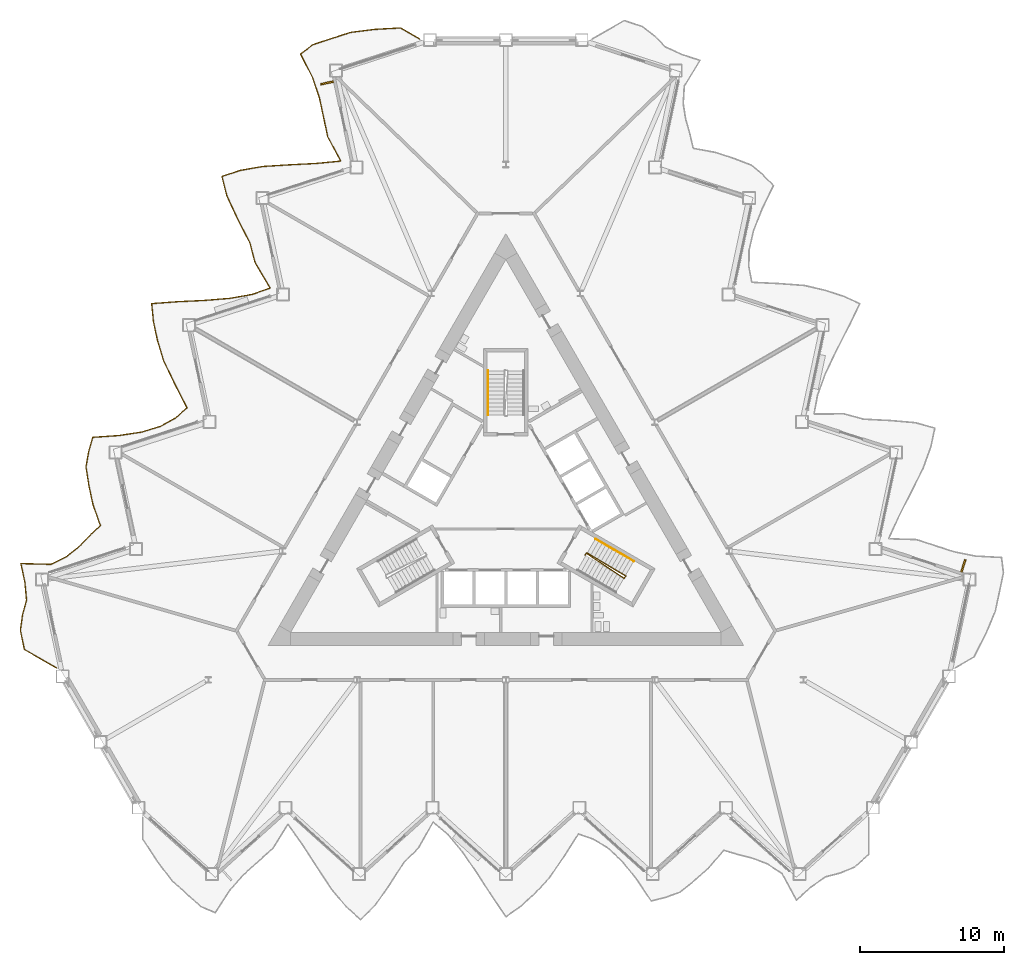
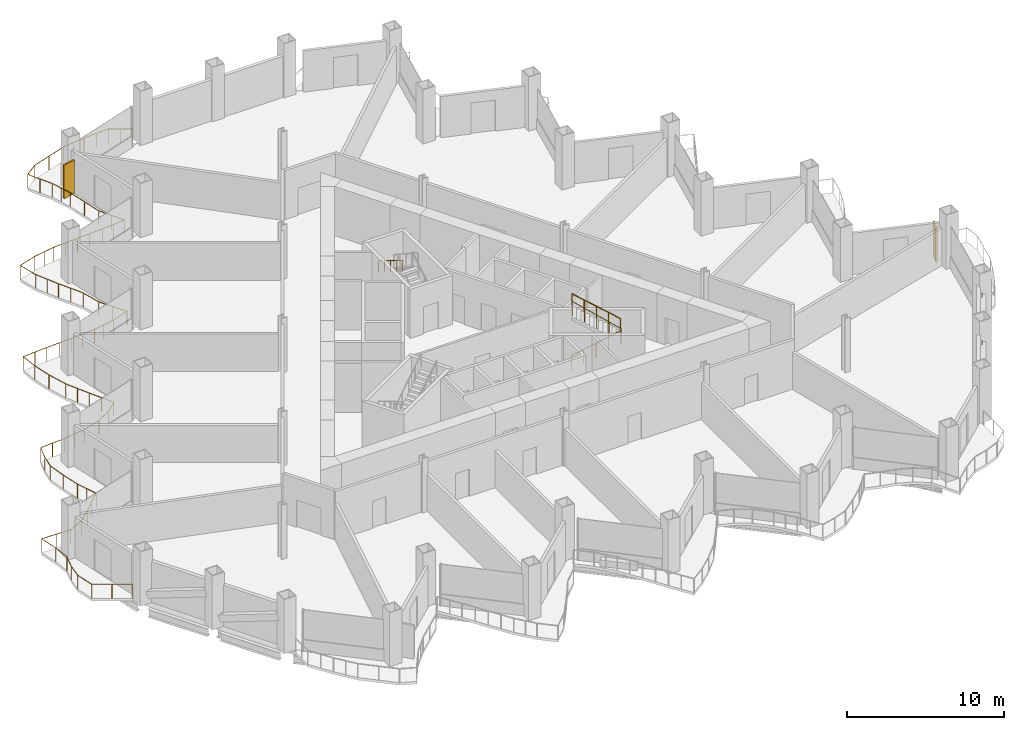
# One storey, part 18 of 21: 4 railings, 2 shading devices.
"""IFC4 building model written with IfcOpenShell, lengths in metres."""

from ifc_helpers import new_model, si_unit, direction, frame, origin, origin_2d, place, context, subcontext, project, spatial, rectangle, circle, extrude, material, layer, layer_set, type_object, element, save


model = new_model("IFC4")

# Units and contexts
model_context = context("Model", 3, precision=1e-05, world=origin(), true_north=direction((0.0, 1.0)))
body_context = subcontext(model_context, "Body", "Model", "MODEL_VIEW")
ifc_project = project(units=[si_unit("LENGTHUNIT", "METRE"), si_unit("AREAUNIT", "SQUARE_METRE"), si_unit("VOLUMEUNIT", "CUBIC_METRE"), si_unit("PLANEANGLEUNIT", "RADIAN"), si_unit("MASSUNIT", "GRAM", prefix="KILO")], contexts=[model_context])

# Site, building, storey
site_placement = place(None, origin())
site = spatial("IfcSite", under=ifc_project, at=site_placement, CompositionType="ELEMENT")
building_placement = place(site_placement, origin())
building = spatial("IfcBuilding", under=site, at=building_placement, Name="Cormorant Prow Tower", CompositionType="ELEMENT")
storey_placement = place(building_placement, frame((0.0, 0.0, 133.199951171875)))
storey = spatial("IfcBuildingStorey", under=building, at=storey_placement, Name="L28", CompositionType="ELEMENT", Elevation=133.199951171875)

# Railings
ifc_material_1 = material(Name="Aluminium 6063-T6", Category="aluminium")
railing_type_1 = type_object("IfcRailingType", Name="Balcony guard 1100", PredefinedType="GUARDRAIL", material=ifc_material_1)
railing_1_placement = place(storey_placement, frame((-5.990234375, 32.576416015625, 0.0)))
element("IfcRailing", 1, at=railing_1_placement, inside=storey, type_object=railing_type_1, Name="Balcony guard WNW", PredefinedType="GUARDRAIL", context=body_context, shape_type="SweptSolid", body=[
    extrude(circle(Radius=0.02392578125, at=origin_2d()), frame((0.0, 0.0, 1.076171875), z_axis=(-0.866030456496, 0.499991248344, 0.0), x_axis=(-0.499991248344, -0.866030456496, 0.0)), (0.0, 0.0, 1.0), 1.52001953125),
    extrude(circle(Radius=0.02392578125, at=origin_2d()), frame((-1.31640625, 0.760009765625, 1.076171875), z_axis=(-0.998474175615, -0.055220654009, 0.0), x_axis=(0.055220654009, -0.998474175615, 0.0)), (0.0, 0.0, 1.0), 1.84375),
    extrude(circle(Radius=0.02392578125, at=origin_2d()), frame((-3.1572265625, 0.658203125, 1.076171875), z_axis=(-0.991854590145, -0.127375319462, 0.0), x_axis=(0.127375319462, -0.991854590145, 0.0)), (0.0, 0.0, 1.0), 1.663818359375),
    extrude(circle(Radius=0.02392578125, at=origin_2d()), frame((-4.807373046875, 0.4462890625, 1.076171875), z_axis=(-0.95106578465, -0.308988467857, 0.0), x_axis=(0.308988467857, -0.95106578465, 0.0)), (0.0, 0.0, 1.0), 1.357421875),
    extrude(circle(Radius=0.02392578125, at=origin_2d()), frame((-6.098388671875, 0.02685546875, 1.076171875), z_axis=(-0.951048608924, -0.309041329701, 0.0), x_axis=(0.309041329701, -0.951048608924, 0.0)), (0.0, 0.0, 1.0), 1.357177734375),
    extrude(circle(Radius=0.02392578125, at=origin_2d()), frame((-7.38916015625, -0.392578125, 1.076171875), z_axis=(-0.800293589886, -0.599608347162, 0.0), x_axis=(0.599608347162, -0.800293589886, 0.0)), (0.0, 0.0, 1.0), 1.097412109375),
    extrude(circle(Radius=0.02392578125, at=origin_2d()), frame((-8.267333984375, -1.050537109375, 1.076171875), z_axis=(0.453743986862, -0.891132085825, 0.0), x_axis=(0.891132085825, 0.453743986862, 0.0)), (0.0, 0.0, 1.0), 1.850830078125),
    extrude(circle(Radius=0.02392578125, at=origin_2d()), frame((-7.427490234375, -2.699951171875, 1.076171875), z_axis=(0.316324106754, -0.948651179036, 0.0), x_axis=(0.948651179036, 0.316324106754, 0.0)), (0.0, 0.0, 1.0), 1.5205078125),
    extrude(circle(Radius=0.02392578125, at=origin_2d()), frame((-6.946533203125, -4.142333984375, 1.076171875), z_axis=(0.20793189794, -0.978143305359, 0.0), x_axis=(0.978143305359, 0.20793189794, 0.0)), (0.0, 0.0, 1.0), 1.357421875),
    extrude(circle(Radius=0.02392578125, at=origin_2d()), frame((-6.664306640625, -5.469970703125, 1.076171875), z_axis=(0.20793189794, -0.978143305359, 0.0), x_axis=(0.978143305359, 0.20793189794, 0.0)), (0.0, 0.0, 1.0), 1.357421875),
    extrude(circle(Radius=0.02392578125, at=origin_2d()), frame((-6.382080078125, -6.797607421875, 1.076171875), z_axis=(0.472585856924, -0.881284634971, 0.0), x_axis=(0.881284634971, 0.472585856924, 0.0)), (0.0, 0.0, 1.0), 1.91455078125),
    extrude(circle(Radius=0.02392578125, at=origin_2d()), frame((-5.477294921875, -8.48486328125, 1.076171875), z_axis=(-0.995503667949, -0.094723001955, 0.0), x_axis=(0.094723001955, -0.995503667949, 0.0)), (0.0, 0.0, 1.0), 1.73974609375),
    extrude(circle(Radius=0.02392578125, at=origin_2d()), frame((-7.209228515625, -8.649658203125, 1.076171875), z_axis=(-0.998717669659, -0.050626241319, 0.0), x_axis=(0.050626241319, -0.998717669659, 0.0)), (0.0, 0.0, 1.0), 1.856689453125),
    extrude(circle(Radius=0.02392578125, at=origin_2d()), frame((-9.0634765625, -8.74365234375, 1.076171875), z_axis=(-0.998053099231, -0.062369953633, 0.0), x_axis=(0.062369953633, -0.998053099231, 0.0)), (0.0, 0.0, 1.0), 1.82421875),
    extrude(circle(Radius=0.02392578125, at=origin_2d()), frame((-10.884033203125, -8.857421875, 1.076171875), z_axis=(-0.985083819846, -0.172075180891, 0.0), x_axis=(0.172075180891, -0.985083819846, 0.0)), (0.0, 0.0, 1.0), 1.572021484375),
    extrude(circle(Radius=0.02392578125, at=origin_2d()), frame((-12.4326171875, -9.1279296875, 1.076171875), z_axis=(-0.950995727537, -0.309204020359, 0.0), x_axis=(0.309204020359, -0.950995727537, 0.0)), (0.0, 0.0, 1.0), 1.357177734375),
    extrude(circle(Radius=0.02392578125, at=origin_2d()), frame((-13.723388671875, -9.547607421875, 1.076171875), z_axis=(0.245636474216, -0.969362018306, 0.0), x_axis=(0.969362018306, 0.245636474216, 0.0)), (0.0, 0.0, 1.0), 1.407470703125),
    extrude(circle(Radius=0.02392578125, at=origin_2d()), frame((-13.377685546875, -10.911865234375, 1.076171875), z_axis=(0.422497782382, -0.906363957736, 0.0), x_axis=(0.906363957736, 0.422497782382, 0.0)), (0.0, 0.0, 1.0), 1.75830078125),
    extrude(circle(Radius=0.02392578125, at=origin_2d()), frame((-12.634765625, -12.505615234375, 1.076171875), z_axis=(0.456740140869, -0.889600159464, 0.0), x_axis=(0.889600159464, 0.456740140869, 0.0)), (0.0, 0.0, 1.0), 1.860595703125),
    extrude(circle(Radius=0.02392578125, at=origin_2d()), frame((-11.784912109375, -14.160888671875, 1.076171875), z_axis=(0.253332549475, -0.967379253125, 0.0), x_axis=(0.967379253125, 0.253332549475, 0.0)), (0.0, 0.0, 1.0), 1.418701171875),
    extrude(circle(Radius=0.02392578125, at=origin_2d()), frame((-11.425537109375, -15.533203125, 1.076171875), z_axis=(0.50874934015, -0.860914693159, 0.0), x_axis=(0.860914693159, 0.50874934015, 0.0)), (0.0, 0.0, 1.0), 2.053466796875),
    extrude(circle(Radius=0.02392578125, at=origin_2d()), frame((-10.380859375, -17.301025390625, 1.076171875), z_axis=(-0.942963166719, -0.332897080508, 0.0), x_axis=(0.332897080508, -0.942963166719, 0.0)), (0.0, 0.0, 1.0), 1.327392578125),
    extrude(circle(Radius=0.02392578125, at=origin_2d()), frame((-11.632568359375, -17.742919921875, 1.076171875), z_axis=(-0.984852365608, -0.173394976733, 0.0), x_axis=(0.173394976733, -0.984852365608, 0.0)), (0.0, 0.0, 1.0), 1.56982421875),
    extrude(circle(Radius=0.02392578125, at=origin_2d()), frame((-13.1787109375, -18.01513671875, 1.076171875), z_axis=(-0.996759511029, -0.080439276307, 0.0), x_axis=(0.080439276307, -0.996759511029, 0.0)), (0.0, 0.0, 1.0), 1.775634765625),
    extrude(circle(Radius=0.02392578125, at=origin_2d()), frame((-14.948486328125, -18.157958984375, 1.076171875), z_axis=(-0.998817168661, -0.048623693685, 0.0), x_axis=(0.048623693685, -0.998817168661, 0.0)), (0.0, 0.0, 1.0), 1.86279296875),
    extrude(circle(Radius=0.02392578125, at=origin_2d()), frame((-16.80908203125, -18.24853515625, 1.076171875), z_axis=(-0.997407442267, -0.071961059679, 0.0), x_axis=(0.071961059679, -0.997407442267, 0.0)), (0.0, 0.0, 1.0), 1.798095703125),
    extrude(circle(Radius=0.02392578125, at=origin_2d()), frame((-18.6025390625, -18.3779296875, 1.076171875), z_axis=(0.095227770091, -0.995455509706, 0.0), x_axis=(0.995455509706, 0.095227770091, 0.0)), (0.0, 0.0, 1.0), 1.23828125),
    extrude(circle(Radius=0.02392578125, at=origin_2d()), frame((-18.484619140625, -19.610595703125, 1.076171875), z_axis=(0.20793189794, -0.978143305359, 0.0), x_axis=(0.978143305359, 0.20793189794, 0.0)), (0.0, 0.0, 1.0), 1.357421875),
    extrude(circle(Radius=0.02392578125, at=origin_2d()), frame((-18.202392578125, -20.938232421875, 1.076171875), z_axis=(0.289883332511, -0.957061990433, 0.0), x_axis=(0.957061990433, 0.289883332511, 0.0)), (0.0, 0.0, 1.0), 1.474609375),
    extrude(circle(Radius=0.02392578125, at=origin_2d()), frame((-17.77490234375, -22.349609375, 1.076171875), z_axis=(0.434139257323, -0.900845772178, 0.0), x_axis=(0.900845772178, 0.434139257323, 0.0)), (0.0, 0.0, 1.0), 1.791748046875),
    extrude(circle(Radius=0.02392578125, at=origin_2d()), frame((-16.9970703125, -23.963623046875, 1.076171875), z_axis=(0.457457560899, -0.889231454671, 0.0), x_axis=(0.889231454671, 0.457457560899, 0.0)), (0.0, 0.0, 1.0), 1.863037109375),
    extrude(circle(Radius=0.02392578125, at=origin_2d()), frame((-16.144775390625, -25.620361328125, 1.076171875), z_axis=(-0.754290023722, -0.656541362074, 0.0), x_axis=(0.656541362074, -0.754290023722, 0.0)), (0.0, 0.0, 1.0), 1.06640625),
    extrude(circle(Radius=0.02392578125, at=origin_2d()), frame((-16.94921875, -26.320556640625, 1.076171875), z_axis=(-0.872147372574, -0.489243252904, 0.0), x_axis=(0.489243252904, -0.872147372574, 0.0)), (0.0, 0.0, 1.0), 1.173095703125),
    extrude(circle(Radius=0.02392578125, at=origin_2d()), frame((-17.972412109375, -26.89453125, 1.076171875), z_axis=(-0.955767508134, -0.294123223149, 0.0), x_axis=(0.294123223149, -0.955767508134, 0.0)), (0.0, 0.0, 1.0), 1.376953125),
    extrude(circle(Radius=0.02392578125, at=origin_2d()), frame((-19.28857421875, -27.299560546875, 1.076171875), z_axis=(-0.988983844965, -0.148023492723, 0.0), x_axis=(0.148023492723, -0.988983844965, 0.0)), (0.0, 0.0, 1.0), 1.61962890625),
    extrude(circle(Radius=0.02392578125, at=origin_2d()), frame((-20.890380859375, -27.539306640625, 1.076171875), z_axis=(-0.997620720209, -0.068941269283, 0.0), x_axis=(0.068941269283, -0.997620720209, 0.0)), (0.0, 0.0, 1.0), 1.80615234375),
    extrude(circle(Radius=0.02392578125, at=origin_2d()), frame((-22.692138671875, -27.663818359375, 1.076171875), z_axis=(-0.275713553861, -0.961239843232, 0.0), x_axis=(0.961239843232, -0.275713553861, 0.0)), (0.0, 0.0, 1.0), 1.03955078125),
    extrude(circle(Radius=0.02392578125, at=origin_2d()), frame((-22.978759765625, -28.6630859375, 1.076171875), z_axis=(-0.173759385032, -0.984788137679, 0.0), x_axis=(0.984788137679, -0.173759385032, 0.0)), (0.0, 0.0, 1.0), 1.073486328125),
    extrude(circle(Radius=0.02392578125, at=origin_2d()), frame((-23.165283203125, -29.72021484375, 1.076171875), z_axis=(0.1555081731, -0.98783460564, 0.0), x_axis=(0.98783460564, 0.1555081731, 0.0)), (0.0, 0.0, 1.0), 1.296875),
    extrude(circle(Radius=0.02392578125, at=origin_2d()), frame((-22.963623046875, -31.001220703125, 1.076171875), z_axis=(0.20793189794, -0.978143305359, 0.0), x_axis=(0.978143305359, 0.20793189794, 0.0)), (0.0, 0.0, 1.0), 1.357421875),
    extrude(circle(Radius=0.02392578125, at=origin_2d()), frame((-22.681396484375, -32.328857421875, 1.076171875), z_axis=(0.333946049225, -0.942592189766, 0.0), x_axis=(0.942592189766, 0.333946049225, 0.0)), (0.0, 0.0, 1.0), 1.553466796875),
    extrude(circle(Radius=0.02392578125, at=origin_2d()), frame((-22.16259765625, -33.793212890625, 1.076171875), z_axis=(-0.727886865403, -0.685697244542, 0.0), x_axis=(0.685697244542, -0.727886865403, 0.0)), (0.0, 0.0, 1.0), 1.05322265625),
    extrude(circle(Radius=0.02392578125, at=origin_2d()), frame((-22.92919921875, -34.515380859375, 1.076171875), z_axis=(-0.697302838834, -0.716776639515, 0.0), x_axis=(0.716776639515, -0.697302838834, 0.0)), (0.0, 0.0, 1.0), 1.04052734375),
    extrude(circle(Radius=0.02392578125, at=origin_2d()), frame((-23.65478515625, -35.26123046875, 1.076171875), z_axis=(-0.777996371959, -0.628268768299, 0.0), x_axis=(0.628268768299, -0.777996371959, 0.0)), (0.0, 0.0, 1.0), 1.0810546875),
    extrude(circle(Radius=0.02392578125, at=origin_2d()), frame((-24.495849609375, -35.9404296875, 1.076171875), z_axis=(-0.894669408042, -0.44672883309, 0.0), x_axis=(0.44672883309, -0.894669408042, 0.0)), (0.0, 0.0, 1.0), 1.208984375),
    extrude(circle(Radius=0.02392578125, at=origin_2d()), frame((-25.577392578125, -36.48046875, 1.076171875), z_axis=(-0.999698475204, 0.024555216863, 0.0), x_axis=(-0.024555216863, -0.999698475204, 0.0)), (0.0, 0.0, 1.0), 2.10791015625),
    extrude(circle(Radius=0.02392578125, at=origin_2d()), frame((-27.6845703125, -36.4287109375, 1.076171875), z_axis=(0.20793189794, -0.978143305359, 0.0), x_axis=(0.978143305359, 0.20793189794, 0.0)), (0.0, 0.0, 1.0), 1.357421875),
    extrude(circle(Radius=0.02392578125, at=origin_2d()), frame((-27.40234375, -37.75634765625, 1.076171875), z_axis=(0.089286168231, -0.99600601412, 0.0), x_axis=(0.99600601412, 0.089286168231, 0.0)), (0.0, 0.0, 1.0), 1.233154296875),
    extrude(circle(Radius=0.02392578125, at=origin_2d()), frame((-27.292236328125, -38.984619140625, 1.076171875), z_axis=(-0.267100034332, -0.963668808077, 0.0), x_axis=(0.963668808077, -0.267100034332, 0.0)), (0.0, 0.0, 1.0), 1.0419921875),
    extrude(circle(Radius=0.02392578125, at=origin_2d()), frame((-27.570556640625, -39.98876953125, 1.076171875), z_axis=(-0.13486327355, -0.990864217462, 0.0), x_axis=(0.990864217462, -0.13486327355, 0.0)), (0.0, 0.0, 1.0), 1.08984375),
    extrude(circle(Radius=0.02392578125, at=origin_2d()), frame((-27.717529296875, -41.068603515625, 1.076171875), z_axis=(0.203405975868, -0.979094484195, 0.0), x_axis=(0.979094484195, 0.203405975868, 0.0)), (0.0, 0.0, 1.0), 1.3515625),
    extrude(circle(Radius=0.02392578125, at=origin_2d()), frame((-27.442626953125, -42.391845703125, 1.076171875), z_axis=(0.86598941085, -0.50006233641, 0.0), x_axis=(0.50006233641, 0.86598941085, 0.0)), (0.0, 0.0, 1.0), 2.570068359375),
    extrude(circle(Radius=0.02099609375, at=origin_2d()), origin(), (0.0, 0.0, 1.0), 1.052001953125),
    extrude(circle(Radius=0.02099609375, at=origin_2d()), frame((-0.658203125, 0.3798828125, 0.0)), (0.0, 0.0, 1.0), 1.052001953125),
    extrude(circle(Radius=0.02099609375, at=origin_2d()), frame((-1.31640625, 0.760009765625, 0.0)), (0.0, 0.0, 1.0), 1.052001953125),
    extrude(circle(Radius=0.02099609375, at=origin_2d()), frame((-2.23681640625, 0.708984375, 0.0)), (0.0, 0.0, 1.0), 1.052001953125),
    extrude(circle(Radius=0.02099609375, at=origin_2d()), frame((-3.1572265625, 0.658203125, 0.0)), (0.0, 0.0, 1.0), 1.052001953125),
    extrude(circle(Radius=0.02099609375, at=origin_2d()), frame((-3.982421875, 0.55224609375, 0.0)), (0.0, 0.0, 1.0), 1.052001953125),
    extrude(circle(Radius=0.02099609375, at=origin_2d()), frame((-4.807373046875, 0.4462890625, 0.0)), (0.0, 0.0, 1.0), 1.052001953125),
    extrude(circle(Radius=0.02099609375, at=origin_2d()), frame((-6.098388671875, 0.02685546875, 0.0)), (0.0, 0.0, 1.0), 1.052001953125),
    extrude(circle(Radius=0.02099609375, at=origin_2d()), frame((-7.38916015625, -0.392578125, 0.0)), (0.0, 0.0, 1.0), 1.052001953125),
    extrude(circle(Radius=0.02099609375, at=origin_2d()), frame((-8.267333984375, -1.050537109375, 0.0)), (0.0, 0.0, 1.0), 1.052001953125),
    extrude(circle(Radius=0.02099609375, at=origin_2d()), frame((-7.847412109375, -1.875244140625, 0.0)), (0.0, 0.0, 1.0), 1.052001953125),
    extrude(circle(Radius=0.02099609375, at=origin_2d()), frame((-7.427490234375, -2.699951171875, 0.0)), (0.0, 0.0, 1.0), 1.052001953125),
    extrude(circle(Radius=0.02099609375, at=origin_2d()), frame((-7.18701171875, -3.421142578125, 0.0)), (0.0, 0.0, 1.0), 1.052001953125),
    extrude(circle(Radius=0.02099609375, at=origin_2d()), frame((-6.946533203125, -4.142333984375, 0.0)), (0.0, 0.0, 1.0), 1.052001953125),
    extrude(circle(Radius=0.02099609375, at=origin_2d()), frame((-6.664306640625, -5.469970703125, 0.0)), (0.0, 0.0, 1.0), 1.052001953125),
    extrude(circle(Radius=0.02099609375, at=origin_2d()), frame((-6.382080078125, -6.797607421875, 0.0)), (0.0, 0.0, 1.0), 1.052001953125),
    extrude(circle(Radius=0.02099609375, at=origin_2d()), frame((-5.9296875, -7.64111328125, 0.0)), (0.0, 0.0, 1.0), 1.052001953125),
    extrude(circle(Radius=0.02099609375, at=origin_2d()), frame((-5.477294921875, -8.48486328125, 0.0)), (0.0, 0.0, 1.0), 1.052001953125),
    extrude(circle(Radius=0.02099609375, at=origin_2d()), frame((-6.34326171875, -8.5673828125, 0.0)), (0.0, 0.0, 1.0), 1.052001953125),
    extrude(circle(Radius=0.02099609375, at=origin_2d()), frame((-7.209228515625, -8.649658203125, 0.0)), (0.0, 0.0, 1.0), 1.052001953125),
    extrude(circle(Radius=0.02099609375, at=origin_2d()), frame((-8.13623046875, -8.69677734375, 0.0)), (0.0, 0.0, 1.0), 1.052001953125),
    extrude(circle(Radius=0.02099609375, at=origin_2d()), frame((-9.0634765625, -8.74365234375, 0.0)), (0.0, 0.0, 1.0), 1.052001953125),
    extrude(circle(Radius=0.02099609375, at=origin_2d()), frame((-9.9736328125, -8.800537109375, 0.0)), (0.0, 0.0, 1.0), 1.052001953125),
    extrude(circle(Radius=0.02099609375, at=origin_2d()), frame((-10.884033203125, -8.857421875, 0.0)), (0.0, 0.0, 1.0), 1.052001953125),
    extrude(circle(Radius=0.02099609375, at=origin_2d()), frame((-11.658203125, -8.99267578125, 0.0)), (0.0, 0.0, 1.0), 1.052001953125),
    extrude(circle(Radius=0.02099609375, at=origin_2d()), frame((-12.4326171875, -9.1279296875, 0.0)), (0.0, 0.0, 1.0), 1.052001953125),
    extrude(circle(Radius=0.02099609375, at=origin_2d()), frame((-13.723388671875, -9.547607421875, 0.0)), (0.0, 0.0, 1.0), 1.052001953125),
    extrude(circle(Radius=0.02099609375, at=origin_2d()), frame((-13.377685546875, -10.911865234375, 0.0)), (0.0, 0.0, 1.0), 1.052001953125),
    extrude(circle(Radius=0.02099609375, at=origin_2d()), frame((-13.00634765625, -11.708740234375, 0.0)), (0.0, 0.0, 1.0), 1.052001953125),
    extrude(circle(Radius=0.02099609375, at=origin_2d()), frame((-12.634765625, -12.505615234375, 0.0)), (0.0, 0.0, 1.0), 1.052001953125),
    extrude(circle(Radius=0.02099609375, at=origin_2d()), frame((-12.2099609375, -13.333251953125, 0.0)), (0.0, 0.0, 1.0), 1.052001953125),
    extrude(circle(Radius=0.02099609375, at=origin_2d()), frame((-11.784912109375, -14.160888671875, 0.0)), (0.0, 0.0, 1.0), 1.052001953125),
    extrude(circle(Radius=0.02099609375, at=origin_2d()), frame((-11.425537109375, -15.533203125, 0.0)), (0.0, 0.0, 1.0), 1.052001953125),
    extrude(circle(Radius=0.02099609375, at=origin_2d()), frame((-10.9033203125, -16.4169921875, 0.0)), (0.0, 0.0, 1.0), 1.052001953125),
    extrude(circle(Radius=0.02099609375, at=origin_2d()), frame((-10.380859375, -17.301025390625, 0.0)), (0.0, 0.0, 1.0), 1.052001953125),
    extrude(circle(Radius=0.02099609375, at=origin_2d()), frame((-11.632568359375, -17.742919921875, 0.0)), (0.0, 0.0, 1.0), 1.052001953125),
    extrude(circle(Radius=0.02099609375, at=origin_2d()), frame((-12.40576171875, -17.87890625, 0.0)), (0.0, 0.0, 1.0), 1.052001953125),
    extrude(circle(Radius=0.02099609375, at=origin_2d()), frame((-13.1787109375, -18.01513671875, 0.0)), (0.0, 0.0, 1.0), 1.052001953125),
    extrude(circle(Radius=0.02099609375, at=origin_2d()), frame((-14.0634765625, -18.08642578125, 0.0)), (0.0, 0.0, 1.0), 1.052001953125),
    extrude(circle(Radius=0.02099609375, at=origin_2d()), frame((-14.948486328125, -18.157958984375, 0.0)), (0.0, 0.0, 1.0), 1.052001953125),
    extrude(circle(Radius=0.02099609375, at=origin_2d()), frame((-15.87890625, -18.203125, 0.0)), (0.0, 0.0, 1.0), 1.052001953125),
    extrude(circle(Radius=0.02099609375, at=origin_2d()), frame((-16.80908203125, -18.24853515625, 0.0)), (0.0, 0.0, 1.0), 1.052001953125),
    extrude(circle(Radius=0.02099609375, at=origin_2d()), frame((-17.705810546875, -18.313232421875, 0.0)), (0.0, 0.0, 1.0), 1.052001953125),
    extrude(circle(Radius=0.02099609375, at=origin_2d()), frame((-18.6025390625, -18.3779296875, 0.0)), (0.0, 0.0, 1.0), 1.052001953125),
    extrude(circle(Radius=0.02099609375, at=origin_2d()), frame((-18.484619140625, -19.610595703125, 0.0)), (0.0, 0.0, 1.0), 1.052001953125),
    extrude(circle(Radius=0.02099609375, at=origin_2d()), frame((-18.202392578125, -20.938232421875, 0.0)), (0.0, 0.0, 1.0), 1.052001953125),
    extrude(circle(Radius=0.02099609375, at=origin_2d()), frame((-17.77490234375, -22.349609375, 0.0)), (0.0, 0.0, 1.0), 1.052001953125),
    extrude(circle(Radius=0.02099609375, at=origin_2d()), frame((-17.385986328125, -23.15673828125, 0.0)), (0.0, 0.0, 1.0), 1.052001953125),
    extrude(circle(Radius=0.02099609375, at=origin_2d()), frame((-16.9970703125, -23.963623046875, 0.0)), (0.0, 0.0, 1.0), 1.052001953125),
    extrude(circle(Radius=0.02099609375, at=origin_2d()), frame((-16.57080078125, -24.7919921875, 0.0)), (0.0, 0.0, 1.0), 1.052001953125),
    extrude(circle(Radius=0.02099609375, at=origin_2d()), frame((-16.144775390625, -25.620361328125, 0.0)), (0.0, 0.0, 1.0), 1.052001953125),
    extrude(circle(Radius=0.02099609375, at=origin_2d()), frame((-16.94921875, -26.320556640625, 0.0)), (0.0, 0.0, 1.0), 1.052001953125),
    extrude(circle(Radius=0.02099609375, at=origin_2d()), frame((-17.972412109375, -26.89453125, 0.0)), (0.0, 0.0, 1.0), 1.052001953125),
    extrude(circle(Radius=0.02099609375, at=origin_2d()), frame((-19.28857421875, -27.299560546875, 0.0)), (0.0, 0.0, 1.0), 1.052001953125),
    extrude(circle(Radius=0.02099609375, at=origin_2d()), frame((-20.08935546875, -27.41943359375, 0.0)), (0.0, 0.0, 1.0), 1.052001953125),
    extrude(circle(Radius=0.02099609375, at=origin_2d()), frame((-20.890380859375, -27.539306640625, 0.0)), (0.0, 0.0, 1.0), 1.052001953125),
    extrude(circle(Radius=0.02099609375, at=origin_2d()), frame((-21.791259765625, -27.6015625, 0.0)), (0.0, 0.0, 1.0), 1.052001953125),
    extrude(circle(Radius=0.02099609375, at=origin_2d()), frame((-22.692138671875, -27.663818359375, 0.0)), (0.0, 0.0, 1.0), 1.052001953125),
    extrude(circle(Radius=0.02099609375, at=origin_2d()), frame((-22.978759765625, -28.6630859375, 0.0)), (0.0, 0.0, 1.0), 1.052001953125),
    extrude(circle(Radius=0.02099609375, at=origin_2d()), frame((-23.165283203125, -29.72021484375, 0.0)), (0.0, 0.0, 1.0), 1.052001953125),
    extrude(circle(Radius=0.02099609375, at=origin_2d()), frame((-22.963623046875, -31.001220703125, 0.0)), (0.0, 0.0, 1.0), 1.052001953125),
    extrude(circle(Radius=0.02099609375, at=origin_2d()), frame((-22.681396484375, -32.328857421875, 0.0)), (0.0, 0.0, 1.0), 1.052001953125),
    extrude(circle(Radius=0.02099609375, at=origin_2d()), frame((-22.421875, -33.06103515625, 0.0)), (0.0, 0.0, 1.0), 1.052001953125),
    extrude(circle(Radius=0.02099609375, at=origin_2d()), frame((-22.16259765625, -33.793212890625, 0.0)), (0.0, 0.0, 1.0), 1.052001953125),
    extrude(circle(Radius=0.02099609375, at=origin_2d()), frame((-22.92919921875, -34.515380859375, 0.0)), (0.0, 0.0, 1.0), 1.052001953125),
    extrude(circle(Radius=0.02099609375, at=origin_2d()), frame((-23.65478515625, -35.26123046875, 0.0)), (0.0, 0.0, 1.0), 1.052001953125),
    extrude(circle(Radius=0.02099609375, at=origin_2d()), frame((-24.495849609375, -35.9404296875, 0.0)), (0.0, 0.0, 1.0), 1.052001953125),
    extrude(circle(Radius=0.02099609375, at=origin_2d()), frame((-25.577392578125, -36.48046875, 0.0)), (0.0, 0.0, 1.0), 1.052001953125),
    extrude(circle(Radius=0.02099609375, at=origin_2d()), frame((-26.630859375, -36.45458984375, 0.0)), (0.0, 0.0, 1.0), 1.052001953125),
    extrude(circle(Radius=0.02099609375, at=origin_2d()), frame((-27.6845703125, -36.4287109375, 0.0)), (0.0, 0.0, 1.0), 1.052001953125),
    extrude(circle(Radius=0.02099609375, at=origin_2d()), frame((-27.40234375, -37.75634765625, 0.0)), (0.0, 0.0, 1.0), 1.052001953125),
    extrude(circle(Radius=0.02099609375, at=origin_2d()), frame((-27.292236328125, -38.984619140625, 0.0)), (0.0, 0.0, 1.0), 1.052001953125),
    extrude(circle(Radius=0.02099609375, at=origin_2d()), frame((-27.570556640625, -39.98876953125, 0.0)), (0.0, 0.0, 1.0), 1.052001953125),
    extrude(circle(Radius=0.02099609375, at=origin_2d()), frame((-27.717529296875, -41.068603515625, 0.0)), (0.0, 0.0, 1.0), 1.052001953125),
    extrude(circle(Radius=0.02099609375, at=origin_2d()), frame((-27.442626953125, -42.391845703125, 0.0)), (0.0, 0.0, 1.0), 1.052001953125),
    extrude(circle(Radius=0.02099609375, at=origin_2d()), frame((-26.329833984375, -43.034423828125, 0.0)), (0.0, 0.0, 1.0), 1.052001953125),
    extrude(circle(Radius=0.02099609375, at=origin_2d()), frame((-25.217041015625, -43.677001953125, 0.0)), (0.0, 0.0, 1.0), 1.052001953125),
])
ifc_material_2 = material(Name="Stainless steel", Category="steel")
railing_type_2 = type_object("IfcRailingType", Name="Stair guard 1100", PredefinedType="GUARDRAIL", material=ifc_material_2)
railing_2_placement = place(storey_placement, frame((5.510009765625, -3.267822265625, 0.0)))
element("IfcRailing", 2, at=railing_2_placement, inside=storey, type_object=railing_type_2, Name="L28 ST2 stair guard 1", PredefinedType="GUARDRAIL", context=body_context, shape_type="SweptSolid", body=[
    extrude(circle(Radius=0.02392578125, at=origin_2d()), frame((0.0, 0.0, 1.076171875), z_axis=(0.501036270542, 0.865426285481, 0.0), x_axis=(-0.865426285481, 0.501036270542, 0.0)), (0.0, 0.0, 1.0), 0.150146484375),
    extrude(circle(Radius=0.02392578125, at=origin_2d()), frame((0.0751953125, 0.1298828125, 1.076171875), z_axis=(0.691630634645, -0.46052652377, 0.556383308633), x_axis=(0.554233058506, 0.832361530141, 0.0)), (0.0, 0.0, 1.0), 3.774658203125),
    extrude(circle(Radius=0.02392578125, at=origin_2d()), frame((2.685791015625, -1.6083984375, 3.17626953125), z_axis=(0.695164929852, 0.718850276695, 0.0), x_axis=(-0.718850276695, 0.695164929852, 0.0)), (0.0, 0.0, 1.0), 0.2060546875),
    extrude(circle(Radius=0.02392578125, at=origin_2d()), frame((2.8291015625, -1.460205078125, 3.17626953125), z_axis=(-0.712489022558, 0.426677363931, 0.55705100291), x_axis=(-0.513773053629, -0.857926132814, 0.0)), (0.0, 0.0, 1.0), 3.76953125),
    extrude(circle(Radius=0.02099609375, at=origin_2d()), origin(), (0.0, 0.0, 1.0), 1.052001953125),
    extrude(circle(Radius=0.02099609375, at=origin_2d()), frame((0.0751953125, 0.1298828125, 0.0)), (0.0, 0.0, 1.0), 1.052001953125),
    extrude(circle(Radius=0.02099609375, at=origin_2d()), frame((0.727783203125, -0.3046875, 0.52490234375)), (0.0, 0.0, 1.0), 1.052001953125),
    extrude(circle(Radius=0.02099609375, at=origin_2d()), frame((1.38037109375, -0.7392578125, 1.050048828125)), (0.0, 0.0, 1.0), 1.052001953125),
    extrude(circle(Radius=0.02099609375, at=origin_2d()), frame((2.033203125, -1.173828125, 1.5751953125)), (0.0, 0.0, 1.0), 1.052001953125),
    extrude(circle(Radius=0.02099609375, at=origin_2d()), frame((2.685791015625, -1.6083984375, 2.10009765625)), (0.0, 0.0, 1.0), 1.052001953125),
    extrude(circle(Radius=0.02099609375, at=origin_2d()), frame((2.8291015625, -1.460205078125, 2.10009765625)), (0.0, 0.0, 1.0), 1.052001953125),
    extrude(circle(Radius=0.02099609375, at=origin_2d()), frame((2.15771484375, -1.05810546875, 2.625)), (0.0, 0.0, 1.0), 1.052001953125),
    extrude(circle(Radius=0.02099609375, at=origin_2d()), frame((1.486328125, -0.656005859375, 3.14990234375)), (0.0, 0.0, 1.0), 1.052001953125),
    extrude(circle(Radius=0.02099609375, at=origin_2d()), frame((0.814697265625, -0.25390625, 3.675048828125)), (0.0, 0.0, 1.0), 1.052001953125),
    extrude(circle(Radius=0.02099609375, at=origin_2d()), frame((0.143310546875, 0.148193359375, 4.199951171875)), (0.0, 0.0, 1.0), 1.052001953125),
])
ifc_material_3 = material(Name="Stainless steel", Category="steel")
railing_type_3 = type_object("IfcRailingType", Name="Stair handrail 900", PredefinedType="HANDRAIL", material=ifc_material_3)
railing_3_placement = place(storey_placement, frame((8.88037109375, -3.690673828125, 2.275146484375)))
element("IfcRailing", 3, at=railing_3_placement, inside=storey, type_object=railing_type_3, Name="L28 ST2 stair handrail 2", PredefinedType="HANDRAIL", context=body_context, shape_type="SweptSolid", body=[
    extrude(circle(Radius=0.02392578125, at=origin_2d()), frame((0.0, 0.0, 0.8759765625), z_axis=(-0.734421155904, 0.424009578203, 0.529944755001), x_axis=(-0.499992328818, -0.866029832698, 0.0)), (0.0, 0.0, 1.0), 3.632080078125),
    extrude(circle(Radius=0.02099609375, at=origin_2d()), origin(), (0.0, 0.0, 1.0), 0.851806640625),
    extrude(circle(Radius=0.02099609375, at=origin_2d()), frame((-0.6669921875, 0.385009765625, 0.481201171875)), (0.0, 0.0, 1.0), 0.851806640625),
    extrude(circle(Radius=0.02099609375, at=origin_2d()), frame((-1.333740234375, 0.77001953125, 0.96240234375)), (0.0, 0.0, 1.0), 0.851806640625),
    extrude(circle(Radius=0.02099609375, at=origin_2d()), frame((-2.00048828125, 1.155029296875, 1.443603515625)), (0.0, 0.0, 1.0), 0.851806640625),
    extrude(circle(Radius=0.02099609375, at=origin_2d()), frame((-2.66748046875, 1.5400390625, 1.9248046875)), (0.0, 0.0, 1.0), 0.851806640625),
])
railing_4_placement = place(storey_placement, frame((-1.243896484375, 9.535888671875, 2.275146484375)))
element("IfcRailing", 4, at=railing_4_placement, inside=storey, type_object=railing_type_3, Name="L28 ST3 stair handrail 2", PredefinedType="HANDRAIL", context=body_context, shape_type="SweptSolid", body=[
    extrude(circle(Radius=0.02392578125, at=origin_2d()), frame((0.0, 0.0, 0.8759765625), z_axis=(0.0, -0.848028513186, 0.529950602248), x_axis=(1.0, 0.0, 0.0)), (0.0, 0.0, 1.0), 3.632080078125),
    extrude(circle(Radius=0.02099609375, at=origin_2d()), origin(), (0.0, 0.0, 1.0), 0.851806640625),
    extrude(circle(Radius=0.02099609375, at=origin_2d()), frame((0.0, -0.77001953125, 0.481201171875)), (0.0, 0.0, 1.0), 0.851806640625),
    extrude(circle(Radius=0.02099609375, at=origin_2d()), frame((0.0, -1.5400390625, 0.96240234375)), (0.0, 0.0, 1.0), 0.851806640625),
    extrude(circle(Radius=0.02099609375, at=origin_2d()), frame((0.0, -2.31005859375, 1.443603515625)), (0.0, 0.0, 1.0), 0.851806640625),
    extrude(circle(Radius=0.02099609375, at=origin_2d()), frame((0.0, -3.080078125, 1.9248046875)), (0.0, 0.0, 1.0), 0.851806640625),
])

# Shading devices
ifc_material_4 = material(Name="Terracotta", Category="masonry")
ifc_layer = layer(ifc_material_4, 0.1201171875)
ifc_layer_set = layer_set([ifc_layer], Name="Terracotta")
shading_device_type = type_object("IfcShadingDeviceType", Name="Terracotta baguette fin 120x900x2600", PredefinedType="USERDEFINED", material=ifc_layer_set)
for number, where, z_axis, x_axis, name in (
    (5, (31.76611328125, -4.00927734375, 0.0), (0.0, 0.0, 1.0), (-0.951056490871, 0.309017072623, 0.0), "Baguette fin ENE01"),
    (6, (-12.410888671875, 29.514892578125, 0.0), (0.0, 0.0, 1.0), (0.207911636836, -0.978147612208, 0.0), "Baguette fin WNW01"),
):
    element("IfcShadingDevice", number, at=place(storey_placement, frame(where, z_axis=z_axis, x_axis=x_axis)), inside=storey, type_object=shading_device_type, Name=name, ObjectType="BAGUETTE", PredefinedType="USERDEFINED", context=body_context, shape_type="SweptSolid", body=[
        extrude(rectangle(XDim=0.1201171875, YDim=0.89990234375, at=origin_2d()), origin(), (0.0, 0.0, 1.0), 2.60009765625),
    ])

save(model, "model.ifc")
